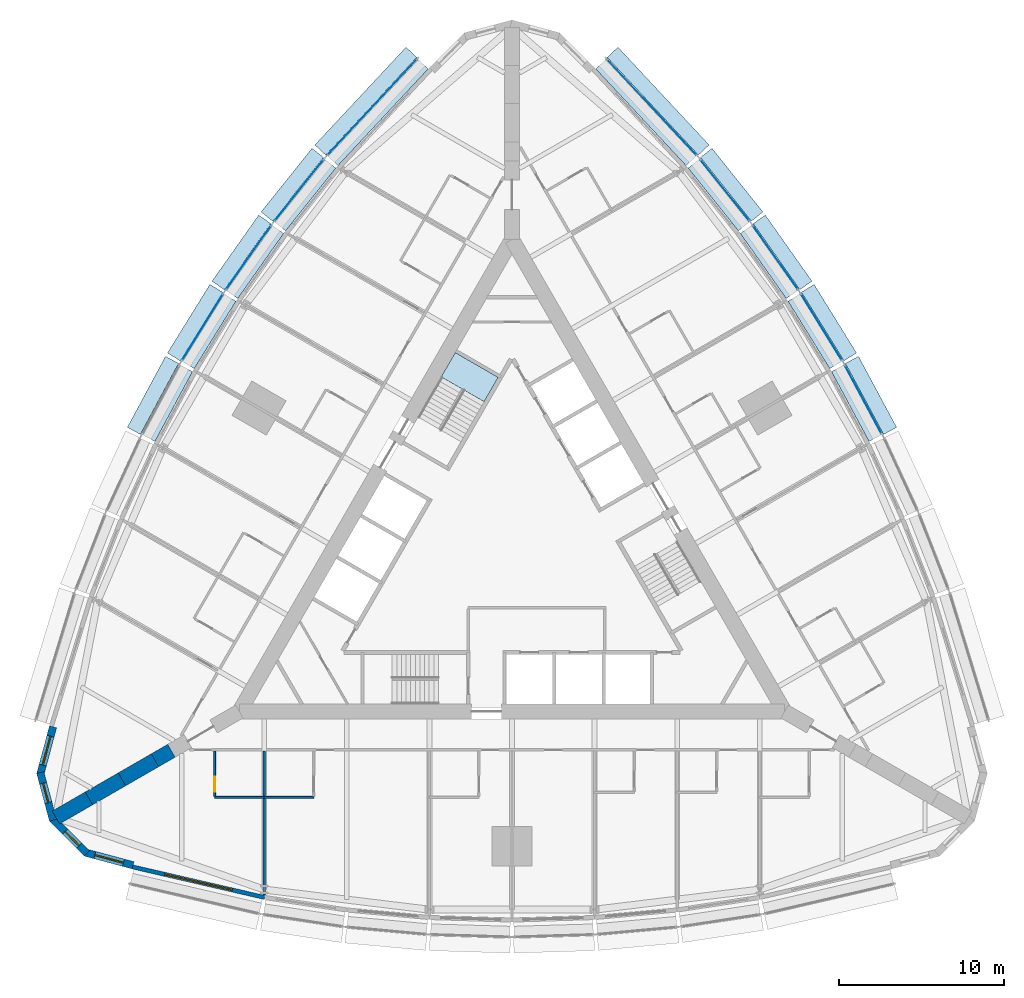
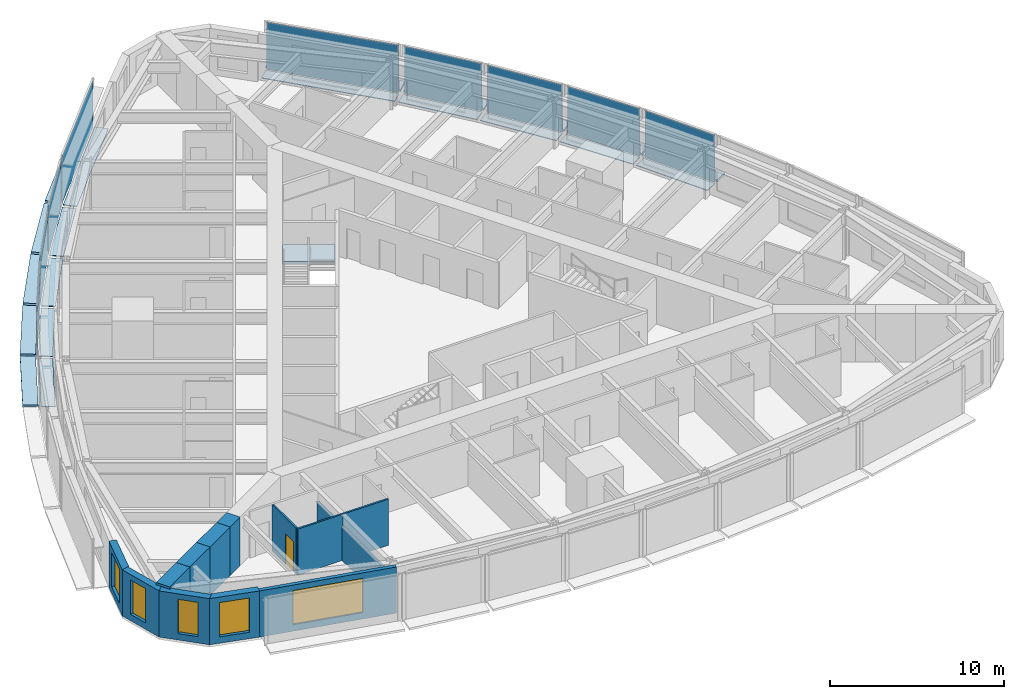
# One storey, part 7 of 14: 29 plates, 13 walls, 5 windows, 1 door, 1 slab, 6 openings, 10 elements without a shape of their own.
"""IFC4 building model written with IfcOpenShell, lengths in metres."""

from ifc_helpers import new_model, si_unit, direction, frame, frame_2d, origin, origin_2d, place, context, subcontext, project, spatial, polyline, rectangle, outline, extrude, material, layer, layer_set, type_object, element, fill, aggregate, save


model = new_model("IFC4")

# Units and contexts
model_context = context("Model", 3, precision=1e-05, world=origin(), true_north=direction((0.0, 1.0)))
body_context = subcontext(model_context, "Body", "Model", "MODEL_VIEW")
ifc_project = project(units=[si_unit("LENGTHUNIT", "METRE"), si_unit("AREAUNIT", "SQUARE_METRE"), si_unit("VOLUMEUNIT", "CUBIC_METRE"), si_unit("PLANEANGLEUNIT", "RADIAN"), si_unit("MASSUNIT", "GRAM", prefix="KILO")], contexts=[model_context])

# Site, building, storey
site_placement = place(None, origin())
site = spatial("IfcSite", under=ifc_project, at=site_placement, CompositionType="ELEMENT")
building_placement = place(site_placement, origin())
building = spatial("IfcBuilding", under=site, at=building_placement, Name="Trikona Tower", CompositionType="ELEMENT")
storey_placement = place(building_placement, frame((0.0, 0.0, 82.89990234375)))
storey = spatial("IfcBuildingStorey", under=building, at=storey_placement, Name="L21", CompositionType="ELEMENT", Elevation=82.89990234375)

# Plates
ifc_material_1 = material(Name="Aluminium bar grating", Category="aluminium")
ifc_layer_1 = layer(ifc_material_1, 0.050048828125)
ifc_layer_set_1 = layer_set([ifc_layer_1], Name="Cavity catwalk grating")
plate_type_1 = type_object("IfcPlateType", Name="Cavity catwalk grating", PredefinedType="USERDEFINED", material=ifc_layer_set_1)
for number, where, z_axis, x_axis, name in (
    (1, (20.833740234375, 9.127197265625, -0.0498046875), (0.0, 0.0, 1.0), (-0.473422672721, 0.880835383572, 0.0), "Cavity catwalk L21-15"),
    (2, (18.3212890625, 13.47900390625, -0.0498046875), (0.0, 0.0, 1.0), (-0.526118935114, 0.85041099835, 0.0), "Cavity catwalk L21-16"),
):
    element("IfcPlate", number, at=place(storey_placement, frame(where, z_axis=z_axis, x_axis=x_axis)), inside=storey, type_object=plate_type_1, Name=name, ObjectType="CATWALK GRATING", PredefinedType="USERDEFINED", context=body_context, shape_type="SweptSolid", body=[
        extrude(rectangle(XDim=4.80224609375, YDim=0.820068359375, at=origin_2d()), origin(), (0.0, 0.0, 1.0), 0.050048828125),
    ])
plate_1_placement = place(storey_placement, frame((15.544189453125, 17.677734375, -0.0498046875), z_axis=(0.0, 0.0, 1.0), x_axis=(-0.576661909499, 0.816982889743, 0.0)))
element("IfcPlate", 3, at=plate_1_placement, inside=storey, type_object=plate_type_1, Name="Cavity catwalk L21-17", ObjectType="CATWALK GRATING", PredefinedType="USERDEFINED", context=body_context, shape_type="SweptSolid", body=[
    extrude(rectangle(XDim=4.82080078125, YDim=0.820068359375, at=origin_2d()), origin(), (0.0, 0.0, 1.0), 0.050048828125),
])
plate_2_placement = place(storey_placement, frame((12.502197265625, 21.72314453125, -0.0498046875), z_axis=(0.0, 0.0, 1.0), x_axis=(-0.624603618277, 0.780941944087, 0.0)))
element("IfcPlate", 4, at=plate_2_placement, inside=storey, type_object=plate_type_1, Name="Cavity catwalk L21-18", ObjectType="CATWALK GRATING", PredefinedType="USERDEFINED", context=body_context, shape_type="SweptSolid", body=[
    extrude(rectangle(XDim=4.857666015625, YDim=0.820068359375, at=origin_2d()), origin(), (0.0, 0.0, 1.0), 0.050048828125),
])
for number, where, z_axis, x_axis, name in (
    (5, (8.10107421875, 26.72314453125, -0.0498046875), (0.0, 0.0, 1.0), (-0.682298269147, 0.731073916864, 0.0), "Cavity catwalk L21-19"),
    (6, (-8.10107421875, 26.72314453125, -0.0498046875), (0.0, 0.0, 1.0), (-0.682298269147, -0.731073916864, 0.0), "Cavity catwalk L21-24"),
):
    element("IfcPlate", number, at=place(storey_placement, frame(where, z_axis=z_axis, x_axis=x_axis)), inside=storey, type_object=plate_type_1, Name=name, ObjectType="CATWALK GRATING", PredefinedType="USERDEFINED", context=body_context, shape_type="SweptSolid", body=[
        extrude(rectangle(XDim=8.01123046875, YDim=0.820068359375, at=origin_2d()), origin(), (0.0, 0.0, 1.0), 0.050048828125),
    ])
plate_3_placement = place(storey_placement, frame((-12.502197265625, 21.72314453125, -0.0498046875), z_axis=(0.0, 0.0, 1.0), x_axis=(-0.624603618277, -0.780941944087, 0.0)))
element("IfcPlate", 7, at=plate_3_placement, inside=storey, type_object=plate_type_1, Name="Cavity catwalk L21-25", ObjectType="CATWALK GRATING", PredefinedType="USERDEFINED", context=body_context, shape_type="SweptSolid", body=[
    extrude(rectangle(XDim=4.857666015625, YDim=0.820068359375, at=origin_2d()), origin(), (0.0, 0.0, 1.0), 0.050048828125),
])
plate_4_placement = place(storey_placement, frame((-15.544189453125, 17.677734375, -0.0498046875), z_axis=(0.0, 0.0, 1.0), x_axis=(-0.576661909499, -0.816982889743, 0.0)))
element("IfcPlate", 8, at=plate_4_placement, inside=storey, type_object=plate_type_1, Name="Cavity catwalk L21-26", ObjectType="CATWALK GRATING", PredefinedType="USERDEFINED", context=body_context, shape_type="SweptSolid", body=[
    extrude(rectangle(XDim=4.82080078125, YDim=0.820068359375, at=origin_2d()), origin(), (0.0, 0.0, 1.0), 0.050048828125),
])
for number, where, z_axis, x_axis, name in (
    (9, (-18.3212890625, 13.47900390625, -0.0498046875), (0.0, 0.0, 1.0), (-0.526118935114, -0.85041099835, 0.0), "Cavity catwalk L21-27"),
    (10, (-20.833740234375, 9.127197265625, -0.0498046875), (0.0, 0.0, 1.0), (-0.473422672721, -0.880835383572, 0.0), "Cavity catwalk L21-28"),
):
    element("IfcPlate", number, at=place(storey_placement, frame(where, z_axis=z_axis, x_axis=x_axis)), inside=storey, type_object=plate_type_1, Name=name, ObjectType="CATWALK GRATING", PredefinedType="USERDEFINED", context=body_context, shape_type="SweptSolid", body=[
        extrude(rectangle(XDim=4.80224609375, YDim=0.820068359375, at=origin_2d()), origin(), (0.0, 0.0, 1.0), 0.050048828125),
    ])

# Curtain wall, plate
ifc_material_2 = material(Name="Aluminium curtain wall system", Category="aluminium")
curtain_wall_type = type_object("IfcCurtainWallType", Name="Curtain wall DS1", PredefinedType="NOTDEFINED", material=ifc_material_2)
curtain_wall_1_placement = place(storey_placement, origin())
curtain_wall_1 = element("IfcCurtainWall", 11, at=curtain_wall_1_placement, inside=storey, type_object=curtain_wall_type, Name="Curtain wall DS1 L21", PredefinedType="NOTDEFINED")
ifc_material_3 = material(Name="Laminated clear glass", Category="glass")
ifc_layer_2 = layer(ifc_material_3, 0.028076171875)
ifc_layer_set_2 = layer_set([ifc_layer_2], Name="Glass panel DS1")
plate_type_2 = type_object("IfcPlateType", Name="Glass panel DS1", PredefinedType="CURTAIN_PANEL", material=ifc_layer_set_2)
plate_5_placement = place(storey_placement, frame((21.265380859375, 9.359130859375, 0.0), z_axis=(0.0, 0.0, 1.0), x_axis=(-0.473408350896, 0.880843080975, 0.0)))
plate_5 = element("IfcPlate", 12, at=plate_5_placement, type_object=plate_type_2, Name="CW-DS1 panel 1.1", PredefinedType="CURTAIN_PANEL", context=body_context, shape_type="SweptSolid", body=[
    extrude(rectangle(XDim=4.72216796875, YDim=0.028076171875, at=origin_2d()), origin(), (0.0, 0.0, 1.0), 3.320068359375),
])
aggregate(curtain_wall_1, [plate_5])

curtain_wall_2_placement = place(storey_placement, origin())
curtain_wall_2 = element("IfcCurtainWall", 13, at=curtain_wall_2_placement, inside=storey, type_object=curtain_wall_type, Name="Curtain wall DS1 L21", PredefinedType="NOTDEFINED")
plate_6_placement = place(storey_placement, frame((18.738037109375, 13.73681640625, 0.0), z_axis=(0.0, 0.0, 1.0), x_axis=(-0.526119790842, 0.850410468941, 0.0)))
plate_6 = element("IfcPlate", 14, at=plate_6_placement, type_object=plate_type_2, Name="CW-DS1 panel 1.1", PredefinedType="CURTAIN_PANEL", context=body_context, shape_type="SweptSolid", body=[
    extrude(rectangle(XDim=4.722412109375, YDim=0.028076171875, at=origin_2d()), origin(), (0.0, 0.0, 1.0), 3.320068359375),
])
aggregate(curtain_wall_2, [plate_6])

curtain_wall_3_placement = place(storey_placement, origin())
curtain_wall_3 = element("IfcCurtainWall", 15, at=curtain_wall_3_placement, inside=storey, type_object=curtain_wall_type, Name="Curtain wall DS1 L21", PredefinedType="NOTDEFINED")
plate_7_placement = place(storey_placement, frame((15.9443359375, 17.960205078125, 0.0), z_axis=(0.0, 0.0, 1.0), x_axis=(-0.576658362928, 0.816985393055, 0.0)))
plate_7 = element("IfcPlate", 16, at=plate_7_placement, type_object=plate_type_2, Name="CW-DS1 panel 1.1", PredefinedType="CURTAIN_PANEL", context=body_context, shape_type="SweptSolid", body=[
    extrude(rectangle(XDim=4.74072265625, YDim=0.028076171875, at=origin_2d()), origin(), (0.0, 0.0, 1.0), 3.320068359375),
])
aggregate(curtain_wall_3, [plate_7])

curtain_wall_4_placement = place(storey_placement, origin())
curtain_wall_4 = element("IfcCurtainWall", 17, at=curtain_wall_4_placement, inside=storey, type_object=curtain_wall_type, Name="Curtain wall DS1 L21", PredefinedType="NOTDEFINED")
plate_8_placement = place(storey_placement, frame((12.884765625, 22.029296875, 0.0), z_axis=(0.0, 0.0, 1.0), x_axis=(-0.624608599951, 0.780937959679, 0.0)))
plate_8 = element("IfcPlate", 18, at=plate_8_placement, type_object=plate_type_2, Name="CW-DS1 panel 1.1", PredefinedType="CURTAIN_PANEL", context=body_context, shape_type="SweptSolid", body=[
    extrude(rectangle(XDim=4.777587890625, YDim=0.028076171875, at=origin_2d()), origin(), (0.0, 0.0, 1.0), 3.320068359375),
])
aggregate(curtain_wall_4, [plate_8])

curtain_wall_5_placement = place(storey_placement, origin())
curtain_wall_5 = element("IfcCurtainWall", 19, at=curtain_wall_5_placement, inside=storey, type_object=curtain_wall_type, Name="Curtain wall DS1 L21", PredefinedType="NOTDEFINED")
plate_9_placement = place(storey_placement, frame((8.459228515625, 27.057373046875, 0.0), z_axis=(0.0, 0.0, 1.0), x_axis=(-0.682295351967, 0.731076639405, 0.0)))
plate_9 = element("IfcPlate", 20, at=plate_9_placement, type_object=plate_type_2, Name="CW-DS1 panel 1.1", PredefinedType="CURTAIN_PANEL", context=body_context, shape_type="SweptSolid", body=[
    extrude(rectangle(XDim=7.93115234375, YDim=0.028076171875, at=origin_2d()), origin(), (0.0, 0.0, 1.0), 3.320068359375),
])
aggregate(curtain_wall_5, [plate_9])

curtain_wall_6_placement = place(storey_placement, origin())
curtain_wall_6 = element("IfcCurtainWall", 21, at=curtain_wall_6_placement, inside=storey, type_object=curtain_wall_type, Name="Curtain wall DS1 L21", PredefinedType="NOTDEFINED")
plate_10_placement = place(storey_placement, frame((-8.459228515625, 27.057373046875, 0.0), z_axis=(0.0, 0.0, 1.0), x_axis=(-0.682295351967, -0.731076639405, 0.0)))
plate_10 = element("IfcPlate", 22, at=plate_10_placement, type_object=plate_type_2, Name="CW-DS1 panel 1.1", PredefinedType="CURTAIN_PANEL", context=body_context, shape_type="SweptSolid", body=[
    extrude(rectangle(XDim=7.93115234375, YDim=0.028076171875, at=origin_2d()), origin(), (0.0, 0.0, 1.0), 3.320068359375),
])
aggregate(curtain_wall_6, [plate_10])

curtain_wall_7_placement = place(storey_placement, origin())
curtain_wall_7 = element("IfcCurtainWall", 23, at=curtain_wall_7_placement, inside=storey, type_object=curtain_wall_type, Name="Curtain wall DS1 L21", PredefinedType="NOTDEFINED")
plate_11_placement = place(storey_placement, frame((-12.884765625, 22.029296875, 0.0), z_axis=(0.0, 0.0, 1.0), x_axis=(-0.624608599951, -0.780937959679, 0.0)))
plate_11 = element("IfcPlate", 24, at=plate_11_placement, type_object=plate_type_2, Name="CW-DS1 panel 1.1", PredefinedType="CURTAIN_PANEL", context=body_context, shape_type="SweptSolid", body=[
    extrude(rectangle(XDim=4.777587890625, YDim=0.028076171875, at=origin_2d()), origin(), (0.0, 0.0, 1.0), 3.320068359375),
])
aggregate(curtain_wall_7, [plate_11])

curtain_wall_8_placement = place(storey_placement, origin())
curtain_wall_8 = element("IfcCurtainWall", 25, at=curtain_wall_8_placement, inside=storey, type_object=curtain_wall_type, Name="Curtain wall DS1 L21", PredefinedType="NOTDEFINED")
plate_12_placement = place(storey_placement, frame((-15.9443359375, 17.960205078125, 0.0), z_axis=(0.0, 0.0, 1.0), x_axis=(-0.576658362928, -0.816985393055, 0.0)))
plate_12 = element("IfcPlate", 26, at=plate_12_placement, type_object=plate_type_2, Name="CW-DS1 panel 1.1", PredefinedType="CURTAIN_PANEL", context=body_context, shape_type="SweptSolid", body=[
    extrude(rectangle(XDim=4.74072265625, YDim=0.028076171875, at=origin_2d()), origin(), (0.0, 0.0, 1.0), 3.320068359375),
])
aggregate(curtain_wall_8, [plate_12])

curtain_wall_9_placement = place(storey_placement, origin())
curtain_wall_9 = element("IfcCurtainWall", 27, at=curtain_wall_9_placement, inside=storey, type_object=curtain_wall_type, Name="Curtain wall DS1 L21", PredefinedType="NOTDEFINED")
plate_13_placement = place(storey_placement, frame((-18.738037109375, 13.73681640625, 0.0), z_axis=(0.0, 0.0, 1.0), x_axis=(-0.526119790842, -0.850410468941, 0.0)))
plate_13 = element("IfcPlate", 28, at=plate_13_placement, type_object=plate_type_2, Name="CW-DS1 panel 1.1", PredefinedType="CURTAIN_PANEL", context=body_context, shape_type="SweptSolid", body=[
    extrude(rectangle(XDim=4.722412109375, YDim=0.028076171875, at=origin_2d()), origin(), (0.0, 0.0, 1.0), 3.320068359375),
])
aggregate(curtain_wall_9, [plate_13])

# Plates
ifc_material_4 = material(Name="Aluminium plate fin, pale anodised, on stainless steel outriggers", Category="steel")
ifc_layer_3 = layer(ifc_material_4, 0.14990234375)
ifc_layer_set_3 = layer_set([ifc_layer_3], Name="Outer skin fin 900")
plate_type_3 = type_object("IfcPlateType", Name="Outer skin fin 900", PredefinedType="USERDEFINED", material=ifc_layer_set_3)
for number, where, z_axis, x_axis, name in (
    (29, (21.732421875, 9.610107421875, 0.000244140625), (0.0, 0.0, 1.0), (-0.473422672721, 0.880835383572, 0.0), "Outer skin fin L21-15"),
    (30, (19.188720703125, 14.015625, 0.000244140625), (0.0, 0.0, 1.0), (-0.526118935114, 0.85041099835, 0.0), "Outer skin fin L21-16"),
):
    element("IfcPlate", number, at=place(storey_placement, frame(where, z_axis=z_axis, x_axis=x_axis)), inside=storey, type_object=plate_type_3, Name=name, ObjectType="FIN", PredefinedType="USERDEFINED", context=body_context, shape_type="SweptSolid", body=[
        extrude(rectangle(XDim=4.88232421875, YDim=0.89990234375, at=origin_2d()), origin(), (0.0, 0.0, 1.0), 0.14990234375),
    ])
plate_14_placement = place(storey_placement, frame((16.37744140625, 18.265869140625, 0.000244140625), z_axis=(0.0, 0.0, 1.0), x_axis=(-0.576661909499, 0.816982889743, 0.0)))
element("IfcPlate", 31, at=plate_14_placement, inside=storey, type_object=plate_type_3, Name="Outer skin fin L21-17", ObjectType="FIN", PredefinedType="USERDEFINED", context=body_context, shape_type="SweptSolid", body=[
    extrude(rectangle(XDim=4.90087890625, YDim=0.89990234375, at=origin_2d()), origin(), (0.0, 0.0, 1.0), 0.14990234375),
])
plate_15_placement = place(storey_placement, frame((13.298583984375, 22.360107421875, 0.000244140625), z_axis=(0.0, 0.0, 1.0), x_axis=(-0.624603618277, 0.780941944087, 0.0)))
element("IfcPlate", 32, at=plate_15_placement, inside=storey, type_object=plate_type_3, Name="Outer skin fin L21-18", ObjectType="FIN", PredefinedType="USERDEFINED", context=body_context, shape_type="SweptSolid", body=[
    extrude(rectangle(XDim=4.9375, YDim=0.89990234375, at=origin_2d()), origin(), (0.0, 0.0, 1.0), 0.14990234375),
])
for number, where, z_axis, x_axis, name in (
    (33, (8.8466796875, 27.419189453125, 0.000244140625), (0.0, 0.0, 1.0), (-0.682298269147, 0.731073916864, 0.0), "Outer skin fin L21-19"),
    (34, (-8.8466796875, 27.419189453125, 0.000244140625), (0.0, 0.0, 1.0), (-0.682298269147, -0.731073916864, 0.0), "Outer skin fin L21-24"),
):
    element("IfcPlate", number, at=place(storey_placement, frame(where, z_axis=z_axis, x_axis=x_axis)), inside=storey, type_object=plate_type_3, Name=name, ObjectType="FIN", PredefinedType="USERDEFINED", context=body_context, shape_type="SweptSolid", body=[
        extrude(rectangle(XDim=8.09130859375, YDim=0.89990234375, at=origin_2d()), origin(), (0.0, 0.0, 1.0), 0.14990234375),
    ])
plate_16_placement = place(storey_placement, frame((-13.298583984375, 22.360107421875, 0.000244140625), z_axis=(0.0, 0.0, 1.0), x_axis=(-0.624603618277, -0.780941944087, 0.0)))
element("IfcPlate", 35, at=plate_16_placement, inside=storey, type_object=plate_type_3, Name="Outer skin fin L21-25", ObjectType="FIN", PredefinedType="USERDEFINED", context=body_context, shape_type="SweptSolid", body=[
    extrude(rectangle(XDim=4.9375, YDim=0.89990234375, at=origin_2d()), origin(), (0.0, 0.0, 1.0), 0.14990234375),
])
plate_17_placement = place(storey_placement, frame((-16.37744140625, 18.265869140625, 0.000244140625), z_axis=(0.0, 0.0, 1.0), x_axis=(-0.576661909499, -0.816982889743, 0.0)))
element("IfcPlate", 36, at=plate_17_placement, inside=storey, type_object=plate_type_3, Name="Outer skin fin L21-26", ObjectType="FIN", PredefinedType="USERDEFINED", context=body_context, shape_type="SweptSolid", body=[
    extrude(rectangle(XDim=4.90087890625, YDim=0.89990234375, at=origin_2d()), origin(), (0.0, 0.0, 1.0), 0.14990234375),
])
for number, where, z_axis, x_axis, name in (
    (37, (-19.188720703125, 14.015625, 0.000244140625), (0.0, 0.0, 1.0), (-0.526118935114, -0.85041099835, 0.0), "Outer skin fin L21-27"),
    (38, (-21.732421875, 9.610107421875, 0.000244140625), (0.0, 0.0, 1.0), (-0.473422672721, -0.880835383572, 0.0), "Outer skin fin L21-28"),
):
    element("IfcPlate", number, at=place(storey_placement, frame(where, z_axis=z_axis, x_axis=x_axis)), inside=storey, type_object=plate_type_3, Name=name, ObjectType="FIN", PredefinedType="USERDEFINED", context=body_context, shape_type="SweptSolid", body=[
        extrude(rectangle(XDim=4.88232421875, YDim=0.89990234375, at=origin_2d()), origin(), (0.0, 0.0, 1.0), 0.14990234375),
    ])

# Stair, slab
ifc_material_5 = material(Name="Concrete f'c 5000 psi", Category="concrete")
stair_type = type_object("IfcStairType", Name="Core stair", PredefinedType="HALF_TURN_STAIR", material=ifc_material_5)
stair_placement = place(storey_placement, origin())
stair = element("IfcStair", 39, at=stair_placement, inside=storey, type_object=stair_type, Name="Stair C L21", PredefinedType="HALF_TURN_STAIR")
ifc_material_6 = material(Name="Concrete f'c 5000 psi", Category="concrete")
ifc_layer_4 = layer(ifc_material_6, 0.199951171875)
ifc_layer_set_4 = layer_set([ifc_layer_4], Name="Stair landing 200")
slab_type = type_object("IfcSlabType", Name="Stair landing 200", PredefinedType="LANDING", material=ifc_layer_set_4)
slab_placement = place(storey_placement, frame((0.0, 0.0, 1.5)))
slab = element("IfcSlab", 40, at=slab_placement, type_object=slab_type, Name="ST-C landing 2", PredefinedType="LANDING", context=body_context, shape_type="SweptSolid", body=[
    extrude(outline(polyline([(-0.837158203125, 10.702392578125), (-1.688720703125, 9.2275390625), (-4.286865234375, 10.7275390625), (-3.435302734375, 12.202392578125), (-0.837158203125, 10.702392578125)])), origin(), (0.0, 0.0, 1.0), 0.2001953125),
])
aggregate(stair, [slab])

# Wall
ifc_material_7 = material(Name="Metal stud and cement board", Category="gypsum")
ifc_layer_5 = layer(ifc_material_7, 0.1201171875)
ifc_layer_set_5 = layer_set([ifc_layer_5], Name="Bathroom wall 120")
wall_type_1 = type_object("IfcWallType", Name="Bathroom wall 120", PredefinedType="PLUMBINGWALL", material=ifc_layer_set_5)
wall_1_placement = place(storey_placement, frame((-18.0, -14.726318359375, 0.0), z_axis=(0.0, 0.0, 1.0), x_axis=(1.0, 0.0, 0.0)))
element("IfcWall", 41, at=wall_1_placement, inside=storey, type_object=wall_type_1, Name="Bathroom wall 2101", PredefinedType="PLUMBINGWALL", context=body_context, shape_type="SweptSolid", body=[
    extrude(rectangle(XDim=3.0, YDim=0.1201171875, at=frame_2d((1.5, 0.0))), origin(), (0.0, 0.0, 1.0), 3.235107421875),
])

# Wall, opening, door
wall_2_placement = place(storey_placement, frame((-18.0, -11.92626953125, 0.0), z_axis=(0.0, 0.0, 1.0), x_axis=(0.0, -1.0, 0.0)))
wall_2 = element("IfcWall", 42, at=wall_2_placement, inside=storey, type_object=wall_type_1, Name="Bathroom wall 2101", PredefinedType="PLUMBINGWALL", context=body_context, shape_type="SweptSolid", body=[
    extrude(rectangle(XDim=2.739990234375, YDim=0.1201171875, at=frame_2d((1.3701171875, 0.0))), origin(), (0.0, 0.0, 1.0), 3.235107421875),
])
opening_1_placement = place(wall_2_placement, frame((1.550048828125, 0.0, 0.0)))
opening_1 = element("IfcOpeningElement", 43, at=opening_1_placement, cuts=wall_2, Name="Opening D2", PredefinedType="OPENING", context=body_context, shape_type="SweptSolid", body=[
    extrude(rectangle(XDim=0.89990234375, YDim=2.1298828125, at=frame_2d((0.449951171875, 1.06494140625))), frame((0.0, 0.070068359375, 0.0), z_axis=(0.0, -1.0, 0.0), x_axis=(1.0, 0.0, 0.0)), (0.0, 0.0, 1.0), 0.14013671875),
])
ifc_material_8 = material(Name="Steel door frame with solid-core timber leaf", Category="steel")
door_type = type_object("IfcDoorType", Name="Bathroom door 900x2130", OperationType="SLIDING_TO_LEFT", PredefinedType="DOOR", material=ifc_material_8)
door_placement = place(opening_1_placement, origin())
door = element("IfcDoor", 44, at=door_placement, inside=storey, type_object=door_type, Name="Bathroom door 2101", OperationType="SLIDING_TO_LEFT", OverallHeight=2.1298828125, OverallWidth=0.89990234375, PredefinedType="DOOR", context=body_context, shape_type="SweptSolid", body=[
    extrude(rectangle(XDim=0.89990234375, YDim=2.1298828125, at=frame_2d((0.449951171875, 1.06494140625))), frame((0.0, 0.02490234375, 0.0), z_axis=(0.0, -1.0, 0.0), x_axis=(1.0, 0.0, 0.0)), (0.0, 0.0, 1.0), 0.050048828125),
])
fill(opening_1, door)

# Wall
wall_3_placement = place(storey_placement, frame((-15.0, -14.726318359375, 0.0), z_axis=(0.0, 0.0, 1.0), x_axis=(1.0, 0.0, 0.0)))
element("IfcWall", 45, at=wall_3_placement, inside=storey, type_object=wall_type_1, Name="Bathroom wall 2102", PredefinedType="PLUMBINGWALL", context=body_context, shape_type="SweptSolid", body=[
    extrude(rectangle(XDim=3.0, YDim=0.1201171875, at=frame_2d((1.5, 0.0))), origin(), (0.0, 0.0, 1.0), 3.235107421875),
])

# Wall, opening, window
ifc_material_9 = material(Name="Brick-faced precast concrete", Category="masonry")
ifc_layer_6 = layer(ifc_material_9, 0.449951171875)
ifc_layer_set_6 = layer_set([ifc_layer_6], Name="Brick-faced corner wall 450")
wall_type_2 = type_object("IfcWallType", Name="Brick-faced corner wall 450", PredefinedType="SOLIDWALL", material=ifc_layer_set_6)
wall_4_placement = place(storey_placement, frame((-27.78271484375, -10.450439453125, 0.0), z_axis=(0.0, 0.0, 1.0), x_axis=(-0.258780998834, -0.965936019953, 0.0)))
wall_4 = element("IfcWall", 46, at=wall_4_placement, inside=storey, type_object=wall_type_2, Name="External wall L21-32", PredefinedType="SOLIDWALL", context=body_context, shape_type="SweptSolid", body=[
    extrude(rectangle(XDim=2.98876953125, YDim=0.449951171875, at=frame_2d((1.494384765625, 0.0))), origin(), (0.0, 0.0, 1.0), 3.235107421875),
])
opening_2_placement = place(wall_4_placement, frame((0.59423828125, 0.0, 0.449951171875)))
opening_2 = element("IfcOpeningElement", 47, at=opening_2_placement, cuts=wall_4, Name="Opening W1824", PredefinedType="OPENING", context=body_context, shape_type="SweptSolid", body=[
    extrude(rectangle(XDim=1.800048828125, YDim=2.39990234375, at=frame_2d((0.89990234375, 1.199951171875))), frame((0.0, 0.23486328125, 0.0), z_axis=(0.0, -1.0, 0.0), x_axis=(1.0, 0.0, 0.0)), (0.0, 0.0, 1.0), 0.469970703125),
])
ifc_material_10 = material(Name="Aluminium-framed double glazing", Category="aluminium")
window_type_1 = type_object("IfcWindowType", Name="Window 1800x2400", PartitioningType="SINGLE_PANEL", PredefinedType="WINDOW", material=ifc_material_10)
window_1_placement = place(opening_2_placement, origin())
window_1 = element("IfcWindow", 48, at=window_1_placement, inside=storey, type_object=window_type_1, Name="Window 2116", OverallHeight=2.39990234375, OverallWidth=1.800048828125, PartitioningType="SINGLE_PANEL", PredefinedType="WINDOW", context=body_context, shape_type="SweptSolid", body=[
    extrude(rectangle(XDim=1.800048828125, YDim=2.39990234375, at=frame_2d((0.89990234375, 1.199951171875))), frame((0.0, 0.030029296875, 0.0), z_axis=(0.0, -1.0, 0.0), x_axis=(1.0, 0.0, 0.0)), (0.0, 0.0, 1.0), 0.06005859375),
])
fill(opening_2, window_1)

wall_5_placement = place(storey_placement, frame((-28.55615234375, -13.220947265625, 0.0), z_axis=(0.0, 0.0, 1.0), x_axis=(0.258801419081, -0.965930548995, 0.0)))
wall_5 = element("IfcWall", 49, at=wall_5_placement, inside=storey, type_object=wall_type_2, Name="External wall L21-33", PredefinedType="SOLIDWALL", context=body_context, shape_type="SweptSolid", body=[
    extrude(outline(polyline([(2.988525390625, 0.22509765625), (2.928955078125, 0.22509765625), (2.437255859375, 0.09326171875), (2.402099609375, 0.22509765625), (0.0, 0.22509765625), (0.0, -0.22509765625), (2.988525390625, -0.22509765625), (2.988525390625, 0.22509765625)])), origin(), (0.0, 0.0, 1.0), 3.235107421875),
])
opening_3_placement = place(wall_5_placement, frame((0.676025390625, 0.0, 0.449951171875)))
opening_3 = element("IfcOpeningElement", 50, at=opening_3_placement, cuts=wall_5, Name="Opening W1224", PredefinedType="OPENING", context=body_context, shape_type="SweptSolid", body=[
    extrude(rectangle(XDim=1.199951171875, YDim=2.39990234375, at=frame_2d((0.60009765625, 1.199951171875))), frame((0.0, 0.23486328125, 0.0), z_axis=(0.0, -1.0, 0.0), x_axis=(1.0, 0.0, 0.0)), (0.0, 0.0, 1.0), 0.469970703125),
])
ifc_material_11 = material(Name="Aluminium-framed double glazing", Category="aluminium")
window_type_2 = type_object("IfcWindowType", Name="Window 1200x2400", PartitioningType="SINGLE_PANEL", PredefinedType="WINDOW", material=ifc_material_11)
window_2_placement = place(opening_3_placement, origin())
window_2 = element("IfcWindow", 51, at=window_2_placement, inside=storey, type_object=window_type_2, Name="Window 2116", OverallHeight=2.39990234375, OverallWidth=1.199951171875, PartitioningType="SINGLE_PANEL", PredefinedType="WINDOW", context=body_context, shape_type="SweptSolid", body=[
    extrude(rectangle(XDim=1.199951171875, YDim=2.39990234375, at=frame_2d((0.60009765625, 1.199951171875))), frame((0.0, 0.030029296875, 0.0), z_axis=(0.0, -1.0, 0.0), x_axis=(1.0, 0.0, 0.0)), (0.0, 0.0, 1.0), 0.06005859375),
])
fill(opening_3, window_2)

wall_6_placement = place(storey_placement, frame((-27.8408203125, -16.006591796875, 0.0), z_axis=(0.0, 0.0, 1.0), x_axis=(0.707025086683, -0.707188466253, 0.0)))
wall_6 = element("IfcWall", 52, at=wall_6_placement, inside=storey, type_object=wall_type_2, Name="External wall L21-34", PredefinedType="SOLIDWALL", context=body_context, shape_type="SweptSolid", body=[
    extrude(outline(polyline([(2.988525390625, 0.22509765625), (0.58642578125, 0.22509765625), (0.551025390625, 0.093017578125), (0.058837890625, 0.22509765625), (0.0, 0.22509765625), (0.0, -0.22509765625), (2.988525390625, -0.22509765625), (2.988525390625, 0.22509765625)])), origin(), (0.0, 0.0, 1.0), 3.235107421875),
])
opening_4_placement = place(wall_6_placement, frame((1.112548828125, 0.0, 0.449951171875)))
opening_4 = element("IfcOpeningElement", 53, at=opening_4_placement, cuts=wall_6, Name="Opening W1224", PredefinedType="OPENING", context=body_context, shape_type="SweptSolid", body=[
    extrude(rectangle(XDim=1.199951171875, YDim=2.39990234375, at=frame_2d((0.60009765625, 1.199951171875))), frame((0.0, 0.23486328125, 0.0), z_axis=(0.0, -1.0, 0.0), x_axis=(1.0, 0.0, 0.0)), (0.0, 0.0, 1.0), 0.469970703125),
])
window_3_placement = place(opening_4_placement, origin())
window_3 = element("IfcWindow", 54, at=window_3_placement, inside=storey, type_object=window_type_2, Name="Window 2101", OverallHeight=2.39990234375, OverallWidth=1.199951171875, PartitioningType="SINGLE_PANEL", PredefinedType="WINDOW", context=body_context, shape_type="SweptSolid", body=[
    extrude(rectangle(XDim=1.199951171875, YDim=2.39990234375, at=frame_2d((0.60009765625, 1.199951171875))), frame((0.0, 0.030029296875, 0.0), z_axis=(0.0, -1.0, 0.0), x_axis=(1.0, 0.0, 0.0)), (0.0, 0.0, 1.0), 0.06005859375),
])
fill(opening_4, window_3)

wall_7_placement = place(storey_placement, frame((-25.82861328125, -18.061767578125, 0.0), z_axis=(0.0, 0.0, 1.0), x_axis=(0.965930548995, -0.258801419081, 0.0)))
wall_7 = element("IfcWall", 55, at=wall_7_placement, inside=storey, type_object=wall_type_2, Name="External wall L21-35", PredefinedType="SOLIDWALL", context=body_context, shape_type="SweptSolid", body=[
    extrude(rectangle(XDim=2.988525390625, YDim=0.449951171875, at=frame_2d((1.494140625, 0.0))), origin(), (0.0, 0.0, 1.0), 3.235107421875),
])
opening_5_placement = place(wall_7_placement, frame((0.59423828125, 0.0, 0.449951171875)))
opening_5 = element("IfcOpeningElement", 56, at=opening_5_placement, cuts=wall_7, Name="Opening W1824", PredefinedType="OPENING", context=body_context, shape_type="SweptSolid", body=[
    extrude(rectangle(XDim=1.800048828125, YDim=2.39990234375, at=frame_2d((0.89990234375, 1.199951171875))), frame((0.0, 0.23486328125, 0.0), z_axis=(0.0, -1.0, 0.0), x_axis=(1.0, 0.0, 0.0)), (0.0, 0.0, 1.0), 0.469970703125),
])
window_4_placement = place(opening_5_placement, origin())
window_4 = element("IfcWindow", 57, at=window_4_placement, inside=storey, type_object=window_type_1, Name="Window 2101", OverallHeight=2.39990234375, OverallWidth=1.800048828125, PartitioningType="SINGLE_PANEL", PredefinedType="WINDOW", context=body_context, shape_type="SweptSolid", body=[
    extrude(rectangle(XDim=1.800048828125, YDim=2.39990234375, at=frame_2d((0.89990234375, 1.199951171875))), frame((0.0, 0.030029296875, 0.0), z_axis=(0.0, -1.0, 0.0), x_axis=(1.0, 0.0, 0.0)), (0.0, 0.0, 1.0), 0.06005859375),
])
fill(opening_5, window_4)

# Walls
ifc_material_12 = material(Name="Concrete f'c 10000 psi", Category="concrete")
ifc_layer_7 = layer(ifc_material_12, 0.89990234375)
ifc_layer_set_7 = layer_set([ifc_layer_7], Name="Buttress wall 900")
wall_type_3 = type_object("IfcWallType", Name="Buttress wall 900", PredefinedType="SHEAR", material=ifc_layer_set_7)
wall_8_placement = place(storey_placement, frame((-20.6103515625, -11.8994140625, 0.0), z_axis=(0.0, 0.0, 1.0), x_axis=(-0.866009537788, -0.500027479704, 0.0)))
element("IfcWall", 58, at=wall_8_placement, inside=storey, type_object=wall_type_3, Name="Buttress wall 3 part 2", PredefinedType="SHEAR", context=body_context, shape_type="SweptSolid", body=[
    extrude(rectangle(XDim=1.15478515625, YDim=0.89990234375, at=frame_2d((0.577392578125, 0.0))), origin(), (0.0, 0.0, 1.0), 3.400146484375),
])
for number, where, z_axis, x_axis, name in (
    (59, (-21.6103515625, -12.476806640625, 0.0), (0.0, 0.0, 1.0), (-0.866055313784, -0.499948190782, 0.0), "Buttress wall 3 part 3"),
    (60, (-23.6103515625, -13.63134765625, 0.0), (0.0, 0.0, 1.0), (-0.866009537788, -0.500027479704, 0.0), "Buttress wall 3 part 4"),
    (61, (-25.6103515625, -14.7861328125, 0.0), (0.0, 0.0, 1.0), (-0.866009537788, -0.500027479704, 0.0), "Buttress wall 3 part 5"),
):
    element("IfcWall", number, at=place(storey_placement, frame(where, z_axis=z_axis, x_axis=x_axis)), inside=storey, type_object=wall_type_3, Name=name, PredefinedType="SHEAR", context=body_context, shape_type="SweptSolid", body=[
        extrude(rectangle(XDim=2.309326171875, YDim=0.89990234375, at=frame_2d((1.15478515625, 0.0))), origin(), (0.0, 0.0, 1.0), 3.400146484375),
    ])

# Wall, opening, window
ifc_material_13 = material(Name="Insulated precast concrete spandrel panel", Category="concrete")
ifc_layer_8 = layer(ifc_material_13, 0.25)
ifc_layer_set_8 = layer_set([ifc_layer_8], Name="Inner skin wall 250")
wall_type_4 = type_object("IfcWallType", Name="Inner skin wall 250", PredefinedType="STANDARD", material=ifc_layer_set_8)
wall_9_placement = place(storey_placement, frame((-22.9716796875, -18.930908203125, 0.0), z_axis=(0.0, 0.0, 1.0), x_axis=(0.974279327392, -0.225343720163, 0.0)))
wall_9 = element("IfcWall", 62, at=wall_9_placement, inside=storey, type_object=wall_type_4, Name="External wall L21-00", PredefinedType="STANDARD", context=body_context, shape_type="SweptSolid", body=[
    extrude(rectangle(XDim=8.211181640625, YDim=0.25, at=frame_2d((4.10546875, 0.0))), origin(), (0.0, 0.0, 1.0), 3.235107421875),
])
opening_6_placement = place(wall_9_placement, frame((2.005615234375, 0.0, 0.449951171875)))
opening_6 = element("IfcOpeningElement", 63, at=opening_6_placement, cuts=wall_9, Name="Opening W4224", PredefinedType="OPENING", context=body_context, shape_type="SweptSolid", body=[
    extrude(rectangle(XDim=4.199951171875, YDim=2.39990234375, at=frame_2d((2.10009765625, 1.199951171875))), frame((0.0, 0.135009765625, 0.0), z_axis=(0.0, -1.0, 0.0), x_axis=(1.0, 0.0, 0.0)), (0.0, 0.0, 1.0), 0.27001953125),
])
ifc_material_14 = material(Name="Aluminium-framed double glazing", Category="aluminium")
window_type_3 = type_object("IfcWindowType", Name="Window 4200x2400", PartitioningType="SINGLE_PANEL", PredefinedType="WINDOW", material=ifc_material_14)
window_5_placement = place(opening_6_placement, origin())
window_5 = element("IfcWindow", 64, at=window_5_placement, inside=storey, type_object=window_type_3, Name="Window 2101", OverallHeight=2.39990234375, OverallWidth=4.199951171875, PartitioningType="SINGLE_PANEL", PredefinedType="WINDOW", context=body_context, shape_type="SweptSolid", body=[
    extrude(rectangle(XDim=4.199951171875, YDim=2.39990234375, at=frame_2d((2.10009765625, 1.199951171875))), frame((0.0, 0.030029296875, 0.0), z_axis=(0.0, -1.0, 0.0), x_axis=(1.0, 0.0, 0.0)), (0.0, 0.0, 1.0), 0.06005859375),
])
fill(opening_6, window_5)

# Wall
ifc_material_15 = material(Name="Metal stud and gypsum board, 1-hour acoustic", Category="gypsum")
ifc_layer_9 = layer(ifc_material_15, 0.14990234375)
ifc_layer_set_9 = layer_set([ifc_layer_9], Name="Party wall 150")
wall_type_5 = type_object("IfcWallType", Name="Party wall 150", PredefinedType="PARTITIONING", material=ifc_layer_set_9)
wall_10_placement = place(storey_placement, frame((-15.0, -11.92626953125, 0.0), z_axis=(0.0, 0.0, 1.0), x_axis=(0.0, -1.0, 0.0)))
element("IfcWall", 65, at=wall_10_placement, inside=storey, type_object=wall_type_5, Name="Partition L21 F1 u-15", PredefinedType="PARTITIONING", context=body_context, shape_type="SweptSolid", body=[
    extrude(rectangle(XDim=8.72021484375, YDim=0.14990234375, at=frame_2d((4.360107421875, 0.0))), origin(), (0.0, 0.0, 1.0), 2.389404296875),
])

save(model, "model.ifc")
